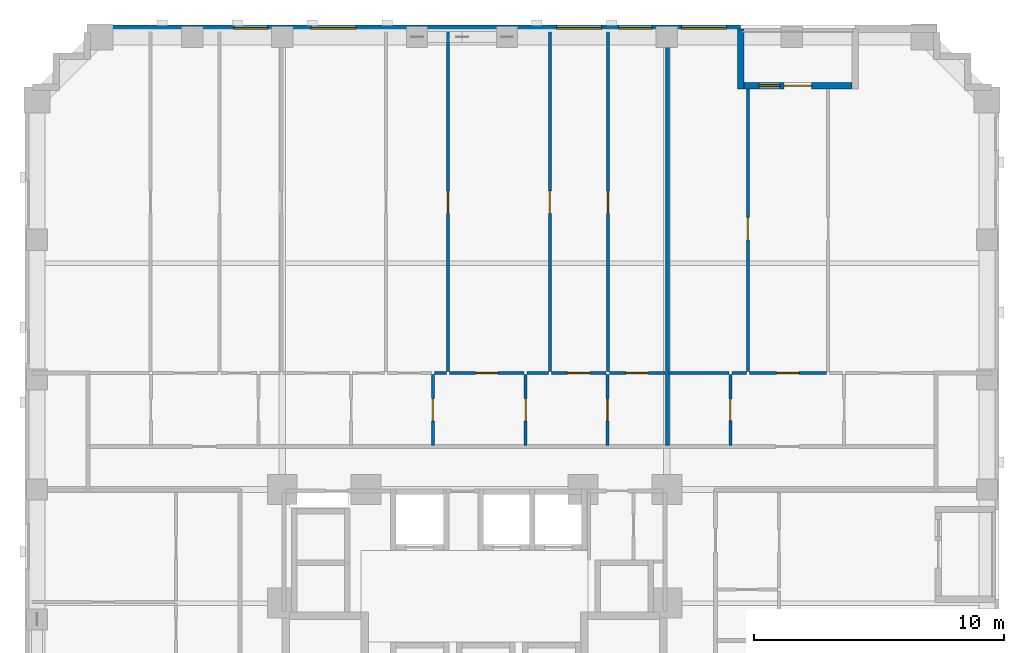
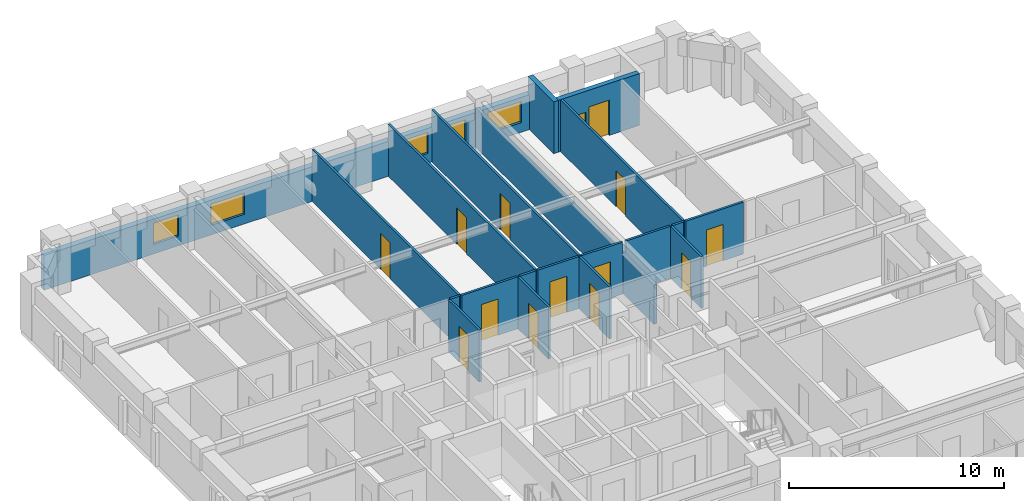
# One storey, part 8 of 14: 20 walls, 13 doors, 6 windows, 19 openings.
"""IFC4 building model written with IfcOpenShell, lengths in metres."""

from ifc_helpers import new_model, si_unit, derived_unit, direction, frame, frame_2d, origin, place, context, subcontext, project, spatial, rectangle, extrude, material, layer, layer_set, type_object, element, fill, save


model = new_model("IFC4")

# Units and contexts
model_context = context("Model", 3, precision=1e-05, world=origin(), true_north=direction((0.0, 1.0)))
body_context = subcontext(model_context, "Body", "Model", "MODEL_VIEW")
ifc_project = project(units=[si_unit("LENGTHUNIT", "METRE"), si_unit("AREAUNIT", "SQUARE_METRE"), si_unit("VOLUMEUNIT", "CUBIC_METRE"), si_unit("PLANEANGLEUNIT", "RADIAN"), si_unit("MASSUNIT", "GRAM", prefix="KILO"), derived_unit("THERMALTRANSMITTANCEUNIT", [(si_unit("MASSUNIT", "GRAM", prefix="KILO"), 1), (si_unit("TIMEUNIT", "SECOND"), -3), (si_unit("THERMODYNAMICTEMPERATUREUNIT", "KELVIN"), -1)])], contexts=[model_context])

# Site, building, storey
site_placement = place(None, origin())
site = spatial("IfcSite", under=ifc_project, at=site_placement, CompositionType="ELEMENT")
building_placement = place(site_placement, origin())
building = spatial("IfcBuilding", under=site, at=building_placement, Name="Korrvale Station Residences", CompositionType="ELEMENT")
storey_placement = place(building_placement, frame((0.0, 0.0, 51.39990234375)))
storey = spatial("IfcBuildingStorey", under=building, at=storey_placement, Name="L13", CompositionType="ELEMENT", Elevation=51.39990234375)

# Wall
ifc_material_1 = material(Name="Precast concrete C45/55", Category="concrete")
ifc_layer_1 = layer(ifc_material_1, 0.260009765625, Name="Precast concrete C45/55")
ifc_layer_set_1 = layer_set([ifc_layer_1], Name="Precast concrete C45/55")
wall_type_1 = type_object("IfcWallType", Name="WAL-EXT-LOG260", PredefinedType="SOLIDWALL", material=ifc_layer_set_1)
wall_1_placement = place(storey_placement, frame((36.14990234375, 47.43994140625, 0.0), z_axis=(0.0, 0.0, 1.0), x_axis=(0.0, -1.0, 0.0)))
element("IfcWall", 1, at=wall_1_placement, inside=storey, type_object=wall_type_1, Name="L13 Recessed Loggia Wall BAL-L13-N1-L", PredefinedType="SOLIDWALL", context=body_context, shape_type="SweptSolid", body=[
    extrude(rectangle(XDim=2.39990234375, YDim=0.260009765625, at=frame_2d((1.199951171875, 0.0))), origin(), (0.0, 0.0, 1.0), 2.940185546875),
])

# Wall, openings, door, window
wall_2_placement = place(storey_placement, frame((36.283935546875, 45.169921875, 0.0), z_axis=(0.0, 0.0, 1.0), x_axis=(1.0, 0.0, 0.0)))
wall_2 = element("IfcWall", 2, at=wall_2_placement, inside=storey, type_object=wall_type_1, Name="L13 Recessed Loggia Wall BAL-L13-N1-B", PredefinedType="SOLIDWALL", context=body_context, shape_type="SweptSolid", body=[
    extrude(rectangle(XDim=4.33203125, YDim=0.260009765625, at=frame_2d((2.166015625, 0.0))), origin(), (0.0, 0.0, 1.0), 2.940185546875),
])
opening_1_placement = place(wall_2_placement, frame((1.615966796875, 0.0, 0.0)))
opening_1 = element("IfcOpeningElement", 3, at=opening_1_placement, cuts=wall_2, Name="Opening BD-01", PredefinedType="OPENING", context=body_context, shape_type="SweptSolid", body=[
    extrude(rectangle(XDim=1.10009765625, YDim=2.0, at=frame_2d((0.550048828125, 1.0))), frame((0.0, 0.14013671875, 0.0), z_axis=(0.0, -1.0, 0.0), x_axis=(1.0, 0.0, 0.0)), (0.0, 0.0, 1.0), 0.280029296875),
])
opening_2_placement = place(wall_2_placement, frame((0.60595703125, 0.0, 0.550048828125)))
opening_2 = element("IfcOpeningElement", 4, at=opening_2_placement, cuts=wall_2, Name="Opening W-11", PredefinedType="OPENING", context=body_context, shape_type="SweptSolid", body=[
    extrude(rectangle(XDim=0.85009765625, YDim=1.199951171875, at=frame_2d((0.425048828125, 0.60009765625))), frame((0.0, 0.14013671875, 0.0), z_axis=(0.0, -1.0, 0.0), x_axis=(1.0, 0.0, 0.0)), (0.0, 0.0, 1.0), 0.280029296875),
])
ifc_material_2 = material(Name="Exterior thermally broken aluminium glazed balcony door", Category="aluminium")
door_type_1 = type_object("IfcDoorType", Name="DR-EXT-BAL", OperationType="NOTDEFINED", PredefinedType="DOOR", material=ifc_material_2)
door_1_placement = place(opening_1_placement, origin())
door_1 = element("IfcDoor", 5, at=door_1_placement, inside=storey, type_object=door_type_1, Name="L13 Loggia Balcony Door BAL-L13-N1", OperationType="SINGLE_SWING_LEFT", OverallHeight=2.0, OverallWidth=1.10009765625, PredefinedType="DOOR", context=body_context, shape_type="SweptSolid", body=[
    extrude(rectangle(XDim=1.10009765625, YDim=2.0, at=frame_2d((0.550048828125, 1.0))), frame((0.0, 0.02490234375, 0.0), z_axis=(0.0, -1.0, 0.0), x_axis=(1.0, 0.0, 0.0)), (0.0, 0.0, 1.0), 0.050048828125),
])
fill(opening_1, door_1)
ifc_material_3 = material(Name="Thermally broken aluminium frame with triple low-e glazing", Category="aluminium")
window_type_1 = type_object("IfcWindowType", Name="WIN-W11", PartitioningType="SINGLE_PANEL", PredefinedType="WINDOW", material=ifc_material_3)
window_1_placement = place(opening_2_placement, origin())
window_1 = element("IfcWindow", 6, at=window_1_placement, inside=storey, type_object=window_type_1, Name="L13 Punched Window 18", OverallHeight=1.199951171875, OverallWidth=0.85009765625, PartitioningType="SINGLE_PANEL", PredefinedType="WINDOW", context=body_context, shape_type="SweptSolid", body=[
    extrude(rectangle(XDim=0.85009765625, YDim=1.199951171875, at=frame_2d((0.425048828125, 0.60009765625))), frame((0.0, 0.030029296875, 0.0), z_axis=(0.0, -1.0, 0.0), x_axis=(1.0, 0.0, 0.0)), (0.0, 0.0, 1.0), 0.06005859375),
])
fill(opening_2, window_1)

# Wall, openings, windows
ifc_layer_2 = layer(ifc_material_1, 0.300048828125, Name="Precast concrete C45/55")
ifc_layer_set_2 = layer_set([ifc_layer_2], Name="Precast concrete C45/55")
wall_type_2 = type_object("IfcWallType", Name="WAL-EXT-PC300", PredefinedType="SOLIDWALL", material=ifc_layer_set_2)
wall_3_placement = place(storey_placement, frame((10.0, 47.449951171875, 0.0), z_axis=(0.0, 0.0, 1.0), x_axis=(1.0, 0.0, 0.0)))
wall_3 = element("IfcWall", 7, at=wall_3_placement, inside=storey, type_object=wall_type_2, Name="L13 North Exterior Precast Wall 1", PredefinedType="SOLIDWALL", context=body_context, shape_type="SweptSolid", body=[
    extrude(rectangle(XDim=26.14990234375, YDim=0.300048828125, at=frame_2d((13.074951171875, 0.0))), origin(), (0.0, 0.0, 1.0), 1.97509765625),
])
opening_3_placement = place(wall_3_placement, frame((5.862060546875, 0.0, 0.550048828125)))
opening_3 = element("IfcOpeningElement", 8, at=opening_3_placement, cuts=wall_3, Name="Opening W-10", PredefinedType="OPENING", context=body_context, shape_type="SweptSolid", body=[
    extrude(rectangle(XDim=1.35009765625, YDim=1.199951171875, at=frame_2d((0.675048828125, 0.60009765625))), frame((0.0, 0.16015625, 0.0), z_axis=(0.0, -1.0, 0.0), x_axis=(1.0, 0.0, 0.0)), (0.0, 0.0, 1.0), 0.320068359375),
])
opening_4_placement = place(wall_3_placement, frame((8.944091796875, 0.0, 0.550048828125)))
opening_4 = element("IfcOpeningElement", 9, at=opening_4_placement, cuts=wall_3, Name="Opening W-09", PredefinedType="OPENING", context=body_context, shape_type="SweptSolid", body=[
    extrude(rectangle(XDim=1.800048828125, YDim=1.199951171875, at=frame_2d((0.89990234375, 0.60009765625))), frame((0.0, 0.16015625, 0.0), z_axis=(0.0, -1.0, 0.0), x_axis=(1.0, 0.0, 0.0)), (0.0, 0.0, 1.0), 0.320068359375),
])
opening_5_placement = place(wall_3_placement, frame((18.7880859375, 0.0, 0.550048828125)))
opening_5 = element("IfcOpeningElement", 10, at=opening_5_placement, cuts=wall_3, Name="Opening W-09", PredefinedType="OPENING", context=body_context, shape_type="SweptSolid", body=[
    extrude(rectangle(XDim=1.800048828125, YDim=1.199951171875, at=frame_2d((0.89990234375, 0.60009765625))), frame((0.0, 0.16015625, 0.0), z_axis=(0.0, -1.0, 0.0), x_axis=(1.0, 0.0, 0.0)), (0.0, 0.0, 1.0), 0.320068359375),
])
opening_6_placement = place(wall_3_placement, frame((21.264892578125, 0.0, 0.550048828125)))
opening_6 = element("IfcOpeningElement", 11, at=opening_6_placement, cuts=wall_3, Name="Opening W-10", PredefinedType="OPENING", context=body_context, shape_type="SweptSolid", body=[
    extrude(rectangle(XDim=1.35009765625, YDim=1.199951171875, at=frame_2d((0.675048828125, 0.60009765625))), frame((0.0, 0.16015625, 0.0), z_axis=(0.0, -1.0, 0.0), x_axis=(1.0, 0.0, 0.0)), (0.0, 0.0, 1.0), 0.320068359375),
])
opening_7_placement = place(wall_3_placement, frame((23.784912109375, 0.0, 0.550048828125)))
opening_7 = element("IfcOpeningElement", 12, at=opening_7_placement, cuts=wall_3, Name="Opening W-09", PredefinedType="OPENING", context=body_context, shape_type="SweptSolid", body=[
    extrude(rectangle(XDim=1.800048828125, YDim=1.199951171875, at=frame_2d((0.89990234375, 0.60009765625))), frame((0.0, 0.16015625, 0.0), z_axis=(0.0, -1.0, 0.0), x_axis=(1.0, 0.0, 0.0)), (0.0, 0.0, 1.0), 0.320068359375),
])
window_type_2 = type_object("IfcWindowType", Name="WIN-W09", PartitioningType="DOUBLE_PANEL_VERTICAL", PredefinedType="WINDOW", material=ifc_material_3)
window_2_placement = place(opening_4_placement, origin())
window_2 = element("IfcWindow", 13, at=window_2_placement, inside=storey, type_object=window_type_2, Name="L13 Punched Window 14", OverallHeight=1.199951171875, OverallWidth=1.800048828125, PartitioningType="DOUBLE_PANEL_VERTICAL", PredefinedType="WINDOW", context=body_context, shape_type="SweptSolid", body=[
    extrude(rectangle(XDim=1.800048828125, YDim=1.199951171875, at=frame_2d((0.89990234375, 0.60009765625))), frame((0.0, 0.030029296875, 0.0), z_axis=(0.0, -1.0, 0.0), x_axis=(1.0, 0.0, 0.0)), (0.0, 0.0, 1.0), 0.06005859375),
])
fill(opening_4, window_2)
window_3_placement = place(opening_5_placement, origin())
window_3 = element("IfcWindow", 14, at=window_3_placement, inside=storey, type_object=window_type_2, Name="L13 Punched Window 15", OverallHeight=1.199951171875, OverallWidth=1.800048828125, PartitioningType="DOUBLE_PANEL_VERTICAL", PredefinedType="WINDOW", context=body_context, shape_type="SweptSolid", body=[
    extrude(rectangle(XDim=1.800048828125, YDim=1.199951171875, at=frame_2d((0.89990234375, 0.60009765625))), frame((0.0, 0.030029296875, 0.0), z_axis=(0.0, -1.0, 0.0), x_axis=(1.0, 0.0, 0.0)), (0.0, 0.0, 1.0), 0.06005859375),
])
fill(opening_5, window_3)
window_4_placement = place(opening_7_placement, origin())
window_4 = element("IfcWindow", 15, at=window_4_placement, inside=storey, type_object=window_type_2, Name="L13 Punched Window 17", OverallHeight=1.199951171875, OverallWidth=1.800048828125, PartitioningType="DOUBLE_PANEL_VERTICAL", PredefinedType="WINDOW", context=body_context, shape_type="SweptSolid", body=[
    extrude(rectangle(XDim=1.800048828125, YDim=1.199951171875, at=frame_2d((0.89990234375, 0.60009765625))), frame((0.0, 0.030029296875, 0.0), z_axis=(0.0, -1.0, 0.0), x_axis=(1.0, 0.0, 0.0)), (0.0, 0.0, 1.0), 0.06005859375),
])
fill(opening_7, window_4)
window_type_3 = type_object("IfcWindowType", Name="WIN-W10", PartitioningType="SINGLE_PANEL", PredefinedType="WINDOW", material=ifc_material_3)
window_5_placement = place(opening_3_placement, origin())
window_5 = element("IfcWindow", 16, at=window_5_placement, inside=storey, type_object=window_type_3, Name="L13 Punched Window 13", OverallHeight=1.199951171875, OverallWidth=1.35009765625, PartitioningType="SINGLE_PANEL", PredefinedType="WINDOW", context=body_context, shape_type="SweptSolid", body=[
    extrude(rectangle(XDim=1.35009765625, YDim=1.199951171875, at=frame_2d((0.675048828125, 0.60009765625))), frame((0.0, 0.030029296875, 0.0), z_axis=(0.0, -1.0, 0.0), x_axis=(1.0, 0.0, 0.0)), (0.0, 0.0, 1.0), 0.06005859375),
])
fill(opening_3, window_5)
window_6_placement = place(opening_6_placement, origin())
window_6 = element("IfcWindow", 17, at=window_6_placement, inside=storey, type_object=window_type_3, Name="L13 Punched Window 16", OverallHeight=1.199951171875, OverallWidth=1.35009765625, PartitioningType="SINGLE_PANEL", PredefinedType="WINDOW", context=body_context, shape_type="SweptSolid", body=[
    extrude(rectangle(XDim=1.35009765625, YDim=1.199951171875, at=frame_2d((0.675048828125, 0.60009765625))), frame((0.0, 0.030029296875, 0.0), z_axis=(0.0, -1.0, 0.0), x_axis=(1.0, 0.0, 0.0)), (0.0, 0.0, 1.0), 0.06005859375),
])
fill(opening_6, window_6)

# Wall, opening, door
ifc_material_4 = material(Name="Acoustic steel-stud gypsum board partition", Category="steel")
ifc_layer_3 = layer(ifc_material_4, 0.1201171875, Name="Acoustic steel-stud gypsum board partition")
ifc_layer_set_3 = layer_set([ifc_layer_3], Name="Acoustic steel-stud gypsum board partition")
wall_type_3 = type_object("IfcWallType", Name="WAL-PART-125", PredefinedType="PARTITIONING", material=ifc_layer_set_3)
wall_4_placement = place(storey_placement, frame((23.830078125, 30.760009765625, 0.0), z_axis=(0.0, 0.0, 1.0), x_axis=(0.0, 1.0, 0.0)))
wall_4 = element("IfcWall", 18, at=wall_4_placement, inside=storey, type_object=wall_type_3, Name="L13 Suite Partition U04-V34", PredefinedType="PARTITIONING", context=body_context, shape_type="SweptSolid", body=[
    extrude(rectangle(XDim=2.85009765625, YDim=0.1201171875, at=frame_2d((1.425048828125, 0.0))), origin(), (0.0, 0.0, 1.0), 2.940185546875),
])
opening_8_placement = place(wall_4_placement, frame((0.97509765625, 0.0, 0.0)))
opening_8 = element("IfcOpeningElement", 19, at=opening_8_placement, cuts=wall_4, Name="Opening DI-900", PredefinedType="OPENING", context=body_context, shape_type="SweptSolid", body=[
    extrude(rectangle(XDim=0.89990234375, YDim=2.050048828125, at=frame_2d((0.449951171875, 1.02490234375))), frame((0.0, 0.070068359375, 0.0), z_axis=(0.0, -1.0, 0.0), x_axis=(1.0, 0.0, 0.0)), (0.0, 0.0, 1.0), 0.14013671875),
])
ifc_material_5 = material(Name="Painted solid-core timber interior room door", Category="wood")
door_type_2 = type_object("IfcDoorType", Name="DR-INT-900", OperationType="NOTDEFINED", PredefinedType="DOOR", material=ifc_material_5)
door_2_placement = place(opening_8_placement, origin())
door_2 = element("IfcDoor", 20, at=door_2_placement, inside=storey, type_object=door_type_2, Name="L13 Apartment 2BR L13-U04 Storage Closet 2 Door", OperationType="SINGLE_SWING_RIGHT", OverallHeight=2.050048828125, OverallWidth=0.89990234375, PredefinedType="DOOR", context=body_context, shape_type="SweptSolid", body=[
    extrude(rectangle(XDim=0.89990234375, YDim=2.050048828125, at=frame_2d((0.449951171875, 1.02490234375))), frame((0.0, 0.02490234375, 0.0), z_axis=(0.0, -1.0, 0.0), x_axis=(1.0, 0.0, 0.0)), (0.0, 0.0, 1.0), 0.050048828125),
])
fill(opening_8, door_2)

wall_5_placement = place(storey_placement, frame((27.550048828125, 30.760009765625, 0.0), z_axis=(0.0, 0.0, 1.0), x_axis=(0.0, 1.0, 0.0)))
wall_5 = element("IfcWall", 21, at=wall_5_placement, inside=storey, type_object=wall_type_3, Name="L13 Suite Partition U04-V45", PredefinedType="PARTITIONING", context=body_context, shape_type="SweptSolid", body=[
    extrude(rectangle(XDim=2.85009765625, YDim=0.1201171875, at=frame_2d((1.425048828125, 0.0))), origin(), (0.0, 0.0, 1.0), 2.940185546875),
])
opening_9_placement = place(wall_5_placement, frame((0.97509765625, 0.0, 0.0)))
opening_9 = element("IfcOpeningElement", 22, at=opening_9_placement, cuts=wall_5, Name="Opening DI-900", PredefinedType="OPENING", context=body_context, shape_type="SweptSolid", body=[
    extrude(rectangle(XDim=0.89990234375, YDim=2.050048828125, at=frame_2d((0.449951171875, 1.02490234375))), frame((0.0, 0.070068359375, 0.0), z_axis=(0.0, -1.0, 0.0), x_axis=(1.0, 0.0, 0.0)), (0.0, 0.0, 1.0), 0.14013671875),
])
door_3_placement = place(opening_9_placement, origin())
door_3 = element("IfcDoor", 23, at=door_3_placement, inside=storey, type_object=door_type_2, Name="L13 Apartment 2BR L13-U04 Storage Closet 3 Door", OperationType="SINGLE_SWING_LEFT", OverallHeight=2.050048828125, OverallWidth=0.89990234375, PredefinedType="DOOR", context=body_context, shape_type="SweptSolid", body=[
    extrude(rectangle(XDim=0.89990234375, YDim=2.050048828125, at=frame_2d((0.449951171875, 1.02490234375))), frame((0.0, 0.02490234375, 0.0), z_axis=(0.0, -1.0, 0.0), x_axis=(1.0, 0.0, 0.0)), (0.0, 0.0, 1.0), 0.050048828125),
])
fill(opening_9, door_3)

# Wall
wall_6_placement = place(storey_placement, frame((23.889892578125, 33.669921875, 0.0), z_axis=(0.0, 0.0, 1.0), x_axis=(1.0, 0.0, 0.0)))
element("IfcWall", 24, at=wall_6_placement, inside=storey, type_object=wall_type_3, Name="L13 Suite Partition U04-H411", PredefinedType="PARTITIONING", context=body_context, shape_type="SweptSolid", body=[
    extrude(rectangle(XDim=0.483154296875, YDim=0.1201171875, at=frame_2d((0.24169921875, 0.0))), origin(), (0.0, 0.0, 1.0), 2.940185546875),
])

# Wall, opening, door
wall_7_placement = place(storey_placement, frame((24.492919921875, 33.669921875, 0.0), z_axis=(0.0, 0.0, 1.0), x_axis=(1.0, 0.0, 0.0)))
wall_7 = element("IfcWall", 25, at=wall_7_placement, inside=storey, type_object=wall_type_3, Name="L13 Suite Partition U04-H412", PredefinedType="PARTITIONING", context=body_context, shape_type="SweptSolid", body=[
    extrude(rectangle(XDim=2.9970703125, YDim=0.1201171875, at=frame_2d((1.49853515625, 0.0))), origin(), (0.0, 0.0, 1.0), 2.940185546875),
])
opening_10_placement = place(wall_7_placement, frame((1.048095703125, 0.0, 0.0)))
opening_10 = element("IfcOpeningElement", 26, at=opening_10_placement, cuts=wall_7, Name="Opening DI-900", PredefinedType="OPENING", context=body_context, shape_type="SweptSolid", body=[
    extrude(rectangle(XDim=0.89990234375, YDim=2.050048828125, at=frame_2d((0.449951171875, 1.02490234375))), frame((0.0, 0.070068359375, 0.0), z_axis=(0.0, -1.0, 0.0), x_axis=(1.0, 0.0, 0.0)), (0.0, 0.0, 1.0), 0.14013671875),
])
door_4_placement = place(opening_10_placement, origin())
door_4 = element("IfcDoor", 27, at=door_4_placement, inside=storey, type_object=door_type_2, Name="L13 Apartment 2BR L13-U04 Storage Closet 3 Door", OperationType="SINGLE_SWING_RIGHT", OverallHeight=2.050048828125, OverallWidth=0.89990234375, PredefinedType="DOOR", context=body_context, shape_type="SweptSolid", body=[
    extrude(rectangle(XDim=0.89990234375, YDim=2.050048828125, at=frame_2d((0.449951171875, 1.02490234375))), frame((0.0, 0.02490234375, 0.0), z_axis=(0.0, -1.0, 0.0), x_axis=(1.0, 0.0, 0.0)), (0.0, 0.0, 1.0), 0.050048828125),
])
fill(opening_10, door_4)

wall_8_placement = place(storey_placement, frame((30.820068359375, 30.760009765625, 0.0), z_axis=(0.0, 0.0, 1.0), x_axis=(0.0, 1.0, 0.0)))
wall_8 = element("IfcWall", 28, at=wall_8_placement, inside=storey, type_object=wall_type_3, Name="L13 Suite Partition U04-V56", PredefinedType="PARTITIONING", context=body_context, shape_type="SweptSolid", body=[
    extrude(rectangle(XDim=2.85009765625, YDim=0.1201171875, at=frame_2d((1.425048828125, 0.0))), origin(), (0.0, 0.0, 1.0), 2.940185546875),
])
opening_11_placement = place(wall_8_placement, frame((0.97509765625, 0.0, 0.0)))
opening_11 = element("IfcOpeningElement", 29, at=opening_11_placement, cuts=wall_8, Name="Opening DI-900", PredefinedType="OPENING", context=body_context, shape_type="SweptSolid", body=[
    extrude(rectangle(XDim=0.89990234375, YDim=2.050048828125, at=frame_2d((0.449951171875, 1.02490234375))), frame((0.0, 0.070068359375, 0.0), z_axis=(0.0, -1.0, 0.0), x_axis=(1.0, 0.0, 0.0)), (0.0, 0.0, 1.0), 0.14013671875),
])
door_5_placement = place(opening_11_placement, origin())
door_5 = element("IfcDoor", 30, at=door_5_placement, inside=storey, type_object=door_type_2, Name="L13 Apartment 2BR L13-U04 Storage Closet 4 Door", OperationType="SINGLE_SWING_LEFT", OverallHeight=2.050048828125, OverallWidth=0.89990234375, PredefinedType="DOOR", context=body_context, shape_type="SweptSolid", body=[
    extrude(rectangle(XDim=0.89990234375, YDim=2.050048828125, at=frame_2d((0.449951171875, 1.02490234375))), frame((0.0, 0.02490234375, 0.0), z_axis=(0.0, -1.0, 0.0), x_axis=(1.0, 0.0, 0.0)), (0.0, 0.0, 1.0), 0.050048828125),
])
fill(opening_11, door_5)

# Wall
wall_9_placement = place(storey_placement, frame((27.610107421875, 33.669921875, 0.0), z_axis=(0.0, 0.0, 1.0), x_axis=(1.0, 0.0, 0.0)))
element("IfcWall", 31, at=wall_9_placement, inside=storey, type_object=wall_type_3, Name="L13 Suite Partition U04-H512", PredefinedType="PARTITIONING", context=body_context, shape_type="SweptSolid", body=[
    extrude(rectangle(XDim=0.844970703125, YDim=0.1201171875, at=frame_2d((0.42236328125, 0.0))), origin(), (0.0, 0.0, 1.0), 2.940185546875),
])

# Wall, opening, door
wall_10_placement = place(storey_placement, frame((28.574951171875, 33.669921875, 0.0), z_axis=(0.0, 0.0, 1.0), x_axis=(1.0, 0.0, 0.0)))
wall_10 = element("IfcWall", 32, at=wall_10_placement, inside=storey, type_object=wall_type_3, Name="L13 Suite Partition U04-H513", PredefinedType="PARTITIONING", context=body_context, shape_type="SweptSolid", body=[
    extrude(rectangle(XDim=2.18505859375, YDim=0.1201171875, at=frame_2d((1.092529296875, 0.0))), origin(), (0.0, 0.0, 1.0), 2.940185546875),
])
opening_12_placement = place(wall_10_placement, frame((0.64306640625, 0.0, 0.0)))
opening_12 = element("IfcOpeningElement", 33, at=opening_12_placement, cuts=wall_10, Name="Opening DI-900", PredefinedType="OPENING", context=body_context, shape_type="SweptSolid", body=[
    extrude(rectangle(XDim=0.89990234375, YDim=2.050048828125, at=frame_2d((0.449951171875, 1.02490234375))), frame((0.0, 0.070068359375, 0.0), z_axis=(0.0, -1.0, 0.0), x_axis=(1.0, 0.0, 0.0)), (0.0, 0.0, 1.0), 0.14013671875),
])
door_6_placement = place(opening_12_placement, origin())
door_6 = element("IfcDoor", 34, at=door_6_placement, inside=storey, type_object=door_type_2, Name="L13 Apartment 2BR L13-U04 Storage Closet 4 Door", OperationType="SINGLE_SWING_RIGHT", OverallHeight=2.050048828125, OverallWidth=0.89990234375, PredefinedType="DOOR", context=body_context, shape_type="SweptSolid", body=[
    extrude(rectangle(XDim=0.89990234375, YDim=2.050048828125, at=frame_2d((0.449951171875, 1.02490234375))), frame((0.0, 0.02490234375, 0.0), z_axis=(0.0, -1.0, 0.0), x_axis=(1.0, 0.0, 0.0)), (0.0, 0.0, 1.0), 0.050048828125),
])
fill(opening_12, door_6)

wall_11_placement = place(storey_placement, frame((30.907958984375, 33.669921875, 0.0), z_axis=(0.0, 0.0, 1.0), x_axis=(1.0, 0.0, 0.0)))
wall_11 = element("IfcWall", 35, at=wall_11_placement, inside=storey, type_object=wall_type_3, Name="L13 Suite Partition U04-H614", PredefinedType="PARTITIONING", context=body_context, shape_type="SweptSolid", body=[
    extrude(rectangle(XDim=2.212158203125, YDim=0.1201171875, at=frame_2d((1.10595703125, 0.0))), origin(), (0.0, 0.0, 1.0), 2.940185546875),
])
opening_13_placement = place(wall_11_placement, frame((0.656005859375, 0.0, 0.0)))
opening_13 = element("IfcOpeningElement", 36, at=opening_13_placement, cuts=wall_11, Name="Opening DI-900", PredefinedType="OPENING", context=body_context, shape_type="SweptSolid", body=[
    extrude(rectangle(XDim=0.89990234375, YDim=2.050048828125, at=frame_2d((0.449951171875, 1.02490234375))), frame((0.0, 0.070068359375, 0.0), z_axis=(0.0, -1.0, 0.0), x_axis=(1.0, 0.0, 0.0)), (0.0, 0.0, 1.0), 0.14013671875),
])
door_7_placement = place(opening_13_placement, origin())
door_7 = element("IfcDoor", 37, at=door_7_placement, inside=storey, type_object=door_type_2, Name="L13 Apartment 2BR L13-U04 Storage Closet 5 Door", OperationType="SINGLE_SWING_LEFT", OverallHeight=2.050048828125, OverallWidth=0.89990234375, PredefinedType="DOOR", context=body_context, shape_type="SweptSolid", body=[
    extrude(rectangle(XDim=0.89990234375, YDim=2.050048828125, at=frame_2d((0.449951171875, 1.02490234375))), frame((0.0, 0.02490234375, 0.0), z_axis=(0.0, -1.0, 0.0), x_axis=(1.0, 0.0, 0.0)), (0.0, 0.0, 1.0), 0.050048828125),
])
fill(opening_13, door_7)

wall_12_placement = place(storey_placement, frame((24.43310546875, 33.72998046875, 0.0), z_axis=(0.0, 0.0, 1.0), x_axis=(0.0, 1.0, 0.0)))
wall_12 = element("IfcWall", 38, at=wall_12_placement, inside=storey, type_object=wall_type_3, Name="L13 Suite Partition U04-V1112", PredefinedType="PARTITIONING", context=body_context, shape_type="SweptSolid", body=[
    extrude(rectangle(XDim=13.590087890625, YDim=0.1201171875, at=frame_2d((6.794921875, 0.0))), origin(), (0.0, 0.0, 1.0), 2.940185546875),
])
opening_14_placement = place(wall_12_placement, frame((6.330078125, 0.0, 0.0)))
opening_14 = element("IfcOpeningElement", 39, at=opening_14_placement, cuts=wall_12, Name="Opening DI-900", PredefinedType="OPENING", context=body_context, shape_type="SweptSolid", body=[
    extrude(rectangle(XDim=0.89990234375, YDim=2.050048828125, at=frame_2d((0.449951171875, 1.02490234375))), frame((0.0, 0.070068359375, 0.0), z_axis=(0.0, -1.0, 0.0), x_axis=(1.0, 0.0, 0.0)), (0.0, 0.0, 1.0), 0.14013671875),
])
door_8_placement = place(opening_14_placement, origin())
door_8 = element("IfcDoor", 40, at=door_8_placement, inside=storey, type_object=door_type_2, Name="L13 Apartment 2BR L13-U04 Wardrobe Storage Room Door", OperationType="SINGLE_SWING_RIGHT", OverallHeight=2.050048828125, OverallWidth=0.89990234375, PredefinedType="DOOR", context=body_context, shape_type="SweptSolid", body=[
    extrude(rectangle(XDim=0.89990234375, YDim=2.050048828125, at=frame_2d((0.449951171875, 1.02490234375))), frame((0.0, 0.02490234375, 0.0), z_axis=(0.0, -1.0, 0.0), x_axis=(1.0, 0.0, 0.0)), (0.0, 0.0, 1.0), 0.050048828125),
])
fill(opening_14, door_8)

wall_13_placement = place(storey_placement, frame((28.514892578125, 33.72998046875, 0.0), z_axis=(0.0, 0.0, 1.0), x_axis=(0.0, 1.0, 0.0)))
wall_13 = element("IfcWall", 41, at=wall_13_placement, inside=storey, type_object=wall_type_3, Name="L13 Suite Partition U04-V1213", PredefinedType="PARTITIONING", context=body_context, shape_type="SweptSolid", body=[
    extrude(rectangle(XDim=13.590087890625, YDim=0.1201171875, at=frame_2d((6.794921875, 0.0))), origin(), (0.0, 0.0, 1.0), 2.940185546875),
])
opening_15_placement = place(wall_13_placement, frame((6.330078125, 0.0, 0.0)))
opening_15 = element("IfcOpeningElement", 42, at=opening_15_placement, cuts=wall_13, Name="Opening DI-900", PredefinedType="OPENING", context=body_context, shape_type="SweptSolid", body=[
    extrude(rectangle(XDim=0.89990234375, YDim=2.050048828125, at=frame_2d((0.449951171875, 1.02490234375))), frame((0.0, 0.070068359375, 0.0), z_axis=(0.0, -1.0, 0.0), x_axis=(1.0, 0.0, 0.0)), (0.0, 0.0, 1.0), 0.14013671875),
])
door_9_placement = place(opening_15_placement, origin())
door_9 = element("IfcDoor", 43, at=door_9_placement, inside=storey, type_object=door_type_2, Name="L13 Apartment 2BR L13-U04 Wardrobe Storage Room Door", OperationType="SINGLE_SWING_LEFT", OverallHeight=2.050048828125, OverallWidth=0.89990234375, PredefinedType="DOOR", context=body_context, shape_type="SweptSolid", body=[
    extrude(rectangle(XDim=0.89990234375, YDim=2.050048828125, at=frame_2d((0.449951171875, 1.02490234375))), frame((0.0, 0.02490234375, 0.0), z_axis=(0.0, -1.0, 0.0), x_axis=(1.0, 0.0, 0.0)), (0.0, 0.0, 1.0), 0.050048828125),
])
fill(opening_15, door_9)

wall_14_placement = place(storey_placement, frame((30.847900390625, 33.72998046875, 0.0), z_axis=(0.0, 0.0, 1.0), x_axis=(0.0, 1.0, 0.0)))
wall_14 = element("IfcWall", 44, at=wall_14_placement, inside=storey, type_object=wall_type_3, Name="L13 Suite Partition U04-V1314", PredefinedType="PARTITIONING", context=body_context, shape_type="SweptSolid", body=[
    extrude(rectangle(XDim=13.590087890625, YDim=0.1201171875, at=frame_2d((6.794921875, 0.0))), origin(), (0.0, 0.0, 1.0), 2.940185546875),
])
opening_16_placement = place(wall_14_placement, frame((6.330078125, 0.0, 0.0)))
opening_16 = element("IfcOpeningElement", 45, at=opening_16_placement, cuts=wall_14, Name="Opening DI-900", PredefinedType="OPENING", context=body_context, shape_type="SweptSolid", body=[
    extrude(rectangle(XDim=0.89990234375, YDim=2.050048828125, at=frame_2d((0.449951171875, 1.02490234375))), frame((0.0, 0.070068359375, 0.0), z_axis=(0.0, -1.0, 0.0), x_axis=(1.0, 0.0, 0.0)), (0.0, 0.0, 1.0), 0.14013671875),
])
door_10_placement = place(opening_16_placement, origin())
door_10 = element("IfcDoor", 46, at=door_10_placement, inside=storey, type_object=door_type_2, Name="L13 Apartment 2BR L13-U04 Bedroom 1 Door", OperationType="SINGLE_SWING_RIGHT", OverallHeight=2.050048828125, OverallWidth=0.89990234375, PredefinedType="DOOR", context=body_context, shape_type="SweptSolid", body=[
    extrude(rectangle(XDim=0.89990234375, YDim=2.050048828125, at=frame_2d((0.449951171875, 1.02490234375))), frame((0.0, 0.02490234375, 0.0), z_axis=(0.0, -1.0, 0.0), x_axis=(1.0, 0.0, 0.0)), (0.0, 0.0, 1.0), 0.050048828125),
])
fill(opening_16, door_10)

wall_15_placement = place(storey_placement, frame((35.739990234375, 30.760009765625, 0.0), z_axis=(0.0, 0.0, 1.0), x_axis=(0.0, 1.0, 0.0)))
wall_15 = element("IfcWall", 47, at=wall_15_placement, inside=storey, type_object=wall_type_3, Name="L13 Suite Partition U05-V01", PredefinedType="PARTITIONING", context=body_context, shape_type="SweptSolid", body=[
    extrude(rectangle(XDim=2.85009765625, YDim=0.1201171875, at=frame_2d((1.425048828125, 0.0))), origin(), (0.0, 0.0, 1.0), 2.940185546875),
])
opening_17_placement = place(wall_15_placement, frame((0.9951171875, 0.0, 0.0)))
opening_17 = element("IfcOpeningElement", 48, at=opening_17_placement, cuts=wall_15, Name="Opening DB-860", PredefinedType="OPENING", context=body_context, shape_type="SweptSolid", body=[
    extrude(rectangle(XDim=0.860107421875, YDim=2.050048828125, at=frame_2d((0.43017578125, 1.02490234375))), frame((0.0, 0.070068359375, 0.0), z_axis=(0.0, -1.0, 0.0), x_axis=(1.0, 0.0, 0.0)), (0.0, 0.0, 1.0), 0.14013671875),
])
ifc_material_6 = material(Name="Moisture-resistant solid-core bathroom door", Category="timber")
door_type_3 = type_object("IfcDoorType", Name="DR-BATH-860", OperationType="NOTDEFINED", PredefinedType="DOOR", material=ifc_material_6)
door_11_placement = place(opening_17_placement, origin())
door_11 = element("IfcDoor", 49, at=door_11_placement, inside=storey, type_object=door_type_3, Name="L13 Studio Apartment L13-U05 Bathroom Door", OperationType="SINGLE_SWING_LEFT", OverallHeight=2.050048828125, OverallWidth=0.860107421875, PredefinedType="DOOR", context=body_context, shape_type="SweptSolid", body=[
    extrude(rectangle(XDim=0.860107421875, YDim=2.050048828125, at=frame_2d((0.43017578125, 1.02490234375))), frame((0.0, 0.02490234375, 0.0), z_axis=(0.0, -1.0, 0.0), x_axis=(1.0, 0.0, 0.0)), (0.0, 0.0, 1.0), 0.050048828125),
])
fill(opening_17, door_11)

# Walls
wall_16_placement = place(storey_placement, frame((33.280029296875, 33.669921875, 0.0), z_axis=(0.0, 0.0, 1.0), x_axis=(1.0, 0.0, 0.0)))
element("IfcWall", 50, at=wall_16_placement, inside=storey, type_object=wall_type_3, Name="L13 Suite Partition U05-H03", PredefinedType="PARTITIONING", context=body_context, shape_type="SweptSolid", body=[
    extrude(rectangle(XDim=2.39990234375, YDim=0.1201171875, at=frame_2d((1.199951171875, 0.0))), origin(), (0.0, 0.0, 1.0), 2.940185546875),
])
wall_17_placement = place(storey_placement, frame((35.800048828125, 33.669921875, 0.0), z_axis=(0.0, 0.0, 1.0), x_axis=(1.0, 0.0, 0.0)))
element("IfcWall", 51, at=wall_17_placement, inside=storey, type_object=wall_type_3, Name="L13 Suite Partition U05-H13", PredefinedType="PARTITIONING", context=body_context, shape_type="SweptSolid", body=[
    extrude(rectangle(XDim=0.579833984375, YDim=0.1201171875, at=frame_2d((0.2900390625, 0.0))), origin(), (0.0, 0.0, 1.0), 2.940185546875),
])

# Wall, opening, door
wall_18_placement = place(storey_placement, frame((36.5, 33.669921875, 0.0), z_axis=(0.0, 0.0, 1.0), x_axis=(1.0, 0.0, 0.0)))
wall_18 = element("IfcWall", 52, at=wall_18_placement, inside=storey, type_object=wall_type_3, Name="L13 Suite Partition U05-H14", PredefinedType="PARTITIONING", context=body_context, shape_type="SweptSolid", body=[
    extrude(rectangle(XDim=3.10009765625, YDim=0.1201171875, at=frame_2d((1.550048828125, 0.0))), origin(), (0.0, 0.0, 1.0), 2.940185546875),
])
opening_18_placement = place(wall_18_placement, frame((1.10009765625, 0.0, 0.0)))
opening_18 = element("IfcOpeningElement", 53, at=opening_18_placement, cuts=wall_18, Name="Opening DI-900", PredefinedType="OPENING", context=body_context, shape_type="SweptSolid", body=[
    extrude(rectangle(XDim=0.89990234375, YDim=2.050048828125, at=frame_2d((0.449951171875, 1.02490234375))), frame((0.0, 0.070068359375, 0.0), z_axis=(0.0, -1.0, 0.0), x_axis=(1.0, 0.0, 0.0)), (0.0, 0.0, 1.0), 0.14013671875),
])
door_12_placement = place(opening_18_placement, origin())
door_12 = element("IfcDoor", 54, at=door_12_placement, inside=storey, type_object=door_type_2, Name="L13 Studio Apartment L13-U05 Kitchen Door", OperationType="SINGLE_SWING_LEFT", OverallHeight=2.050048828125, OverallWidth=0.89990234375, PredefinedType="DOOR", context=body_context, shape_type="SweptSolid", body=[
    extrude(rectangle(XDim=0.89990234375, YDim=2.050048828125, at=frame_2d((0.449951171875, 1.02490234375))), frame((0.0, 0.02490234375, 0.0), z_axis=(0.0, -1.0, 0.0), x_axis=(1.0, 0.0, 0.0)), (0.0, 0.0, 1.0), 0.050048828125),
])
fill(opening_18, door_12)

wall_19_placement = place(storey_placement, frame((36.43994140625, 33.72998046875, 0.0), z_axis=(0.0, 0.0, 1.0), x_axis=(0.0, 1.0, 0.0)))
wall_19 = element("IfcWall", 55, at=wall_19_placement, inside=storey, type_object=wall_type_3, Name="L13 Suite Partition U05-V34", PredefinedType="PARTITIONING", context=body_context, shape_type="SweptSolid", body=[
    extrude(rectangle(XDim=11.43994140625, YDim=0.1201171875, at=frame_2d((5.719970703125, 0.0))), origin(), (0.0, 0.0, 1.0), 2.940185546875),
])
opening_19_placement = place(wall_19_placement, frame((5.27001953125, 0.0, 0.0)))
opening_19 = element("IfcOpeningElement", 56, at=opening_19_placement, cuts=wall_19, Name="Opening DI-900", PredefinedType="OPENING", context=body_context, shape_type="SweptSolid", body=[
    extrude(rectangle(XDim=0.89990234375, YDim=2.050048828125, at=frame_2d((0.449951171875, 1.02490234375))), frame((0.0, 0.070068359375, 0.0), z_axis=(0.0, -1.0, 0.0), x_axis=(1.0, 0.0, 0.0)), (0.0, 0.0, 1.0), 0.14013671875),
])
door_13_placement = place(opening_19_placement, origin())
door_13 = element("IfcDoor", 57, at=door_13_placement, inside=storey, type_object=door_type_2, Name="L13 Studio Apartment L13-U05 Walk-In Wardrobe Door", OperationType="SINGLE_SWING_LEFT", OverallHeight=2.050048828125, OverallWidth=0.89990234375, PredefinedType="DOOR", context=body_context, shape_type="SweptSolid", body=[
    extrude(rectangle(XDim=0.89990234375, YDim=2.050048828125, at=frame_2d((0.449951171875, 1.02490234375))), frame((0.0, 0.02490234375, 0.0), z_axis=(0.0, -1.0, 0.0), x_axis=(1.0, 0.0, 0.0)), (0.0, 0.0, 1.0), 0.050048828125),
])
fill(opening_19, door_13)

# Wall
ifc_material_7 = material(Name="Fire-rated twin-stud gypsum and mineral wool shaftwall assembly", Category="gypsum")
ifc_layer_4 = layer(ifc_material_7, 0.159912109375, Name="Fire-rated twin-stud gypsum and mineral wool shaftwall assembly")
ifc_layer_set_4 = layer_set([ifc_layer_4], Name="Fire-rated twin-stud gypsum and mineral wool shaftwall assembly")
wall_type_4 = type_object("IfcWallType", Name="WAL-PART-200", PredefinedType="PARTITIONING", material=ifc_layer_set_4)
wall_20_placement = place(storey_placement, frame((33.219970703125, 30.760009765625, 0.0), z_axis=(0.0, 0.0, 1.0), x_axis=(0.0, 1.0, 0.0)))
element("IfcWall", 58, at=wall_20_placement, inside=storey, type_object=wall_type_4, Name="L13 Demising Wall U05-W", PredefinedType="PARTITIONING", context=body_context, shape_type="SweptSolid", body=[
    extrude(rectangle(XDim=16.56005859375, YDim=0.159912109375, at=frame_2d((8.280029296875, 0.0))), origin(), (0.0, 0.0, 1.0), 2.232177734375),
])

save(model, "model.ifc")
